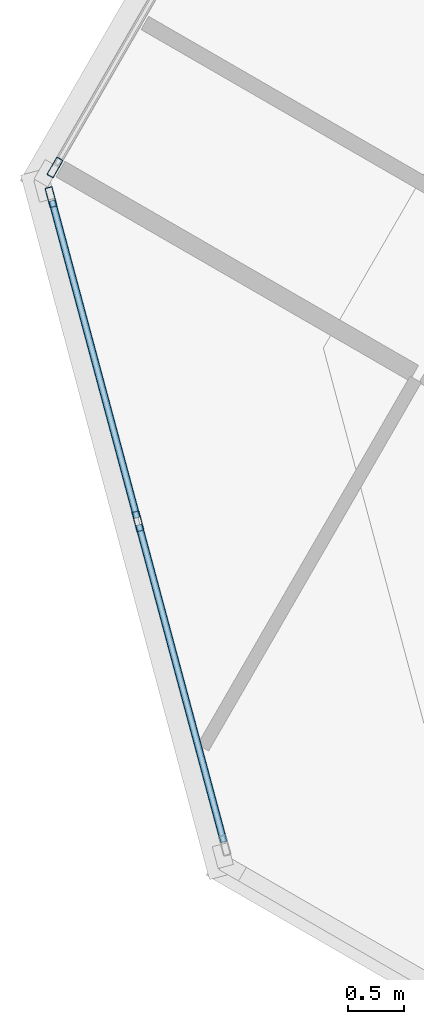
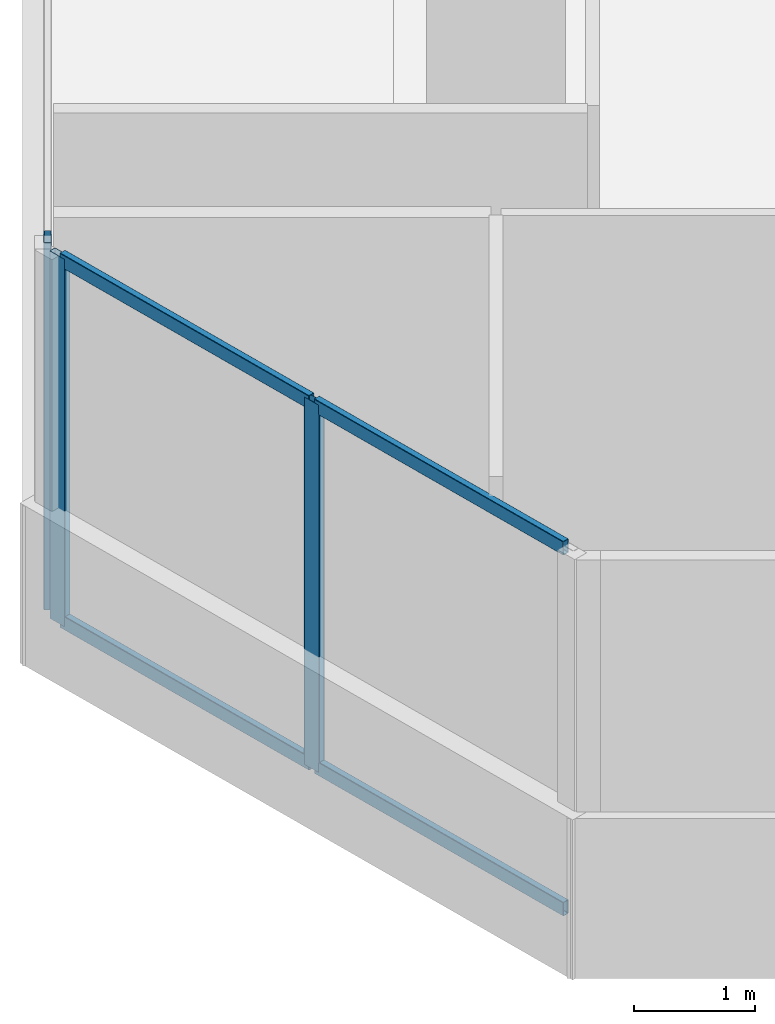
# One storey, part 6 of 21: 7 members, 2 elements without a shape of their own.
"""IFC4 building model written with IfcOpenShell, lengths in metres."""

from ifc_helpers import new_model, si_unit, direction, frame, origin, origin_2d, place, context, subcontext, project, spatial, hollow_rectangle, extrude, source, transform, mapped, material, material_profile, profile_set, type_object, element, aggregate, save


model = new_model("IFC4")

# Units and contexts
model_context = context("Model", 3, precision=1e-05, world=origin(), true_north=direction((0.0, 1.0)))
body_context = subcontext(model_context, "Body", "Model", "MODEL_VIEW")
ifc_project = project(units=[si_unit("LENGTHUNIT", "METRE"), si_unit("AREAUNIT", "SQUARE_METRE"), si_unit("VOLUMEUNIT", "CUBIC_METRE"), si_unit("PLANEANGLEUNIT", "RADIAN"), si_unit("MASSUNIT", "GRAM", prefix="KILO")], contexts=[model_context])

# Site, building, storey
site_placement = place(None, origin())
site = spatial("IfcSite", under=ifc_project, at=site_placement, CompositionType="ELEMENT")
building_placement = place(site_placement, origin())
building = spatial("IfcBuilding", under=site, at=building_placement, Name="Torre Montelarca", CompositionType="ELEMENT")
storey_placement = place(building_placement, frame((0.0, 0.0, 179.199951171875)))
storey = spatial("IfcBuildingStorey", under=building, at=storey_placement, Name="L40", CompositionType="ELEMENT", Elevation=179.199951171875)

# Curtain wall, members
ifc_material_1 = material(Name="Insulated low-E laminated glass", Category="glass")
curtain_wall_type = type_object("IfcCurtainWallType", Name="CW-SYS-Z2", PredefinedType="USERDEFINED", material=ifc_material_1)
curtain_wall_1_placement = place(storey_placement, origin())
curtain_wall_1 = element("IfcCurtainWall", 1, at=curtain_wall_1_placement, inside=storey, type_object=curtain_wall_type, Name="L40 Curtain Wall Run CW-T3-L40-E11-B1", ObjectType="UNITISED GLAZING", PredefinedType="USERDEFINED")
ifc_material_2 = material(Name="Anodised aluminium AA 6063-T6", Category="aluminium")
ifc_material_profile_1 = material_profile(ifc_material_2, hollow_rectangle(XDim=0.06494140625, YDim=0.139892578125, WallThickness=0.00390625, InnerFilletRadius=0.00390625, OuterFilletRadius=0.008056640625, at=origin_2d()), Name="ALU65X140X4", Category="aluminium")
ifc_profile_set_1 = profile_set([ifc_material_profile_1], Name="Anodised aluminium AA 6063-T6")
member_type_1 = type_object("IfcMemberType", Name="CWT-ALU140", PredefinedType="USERDEFINED", material=ifc_profile_set_1)
shared_shape_1 = source(origin(), body_context, "Body", "SweptSolid", [
    extrude(hollow_rectangle(XDim=0.06494140625, YDim=0.139892578125, WallThickness=0.00390625, InnerFilletRadius=0.00390625, OuterFilletRadius=0.008056640625, at=origin_2d()), origin(), (0.0, 0.0, 1.0), 2.91845703125),
])
member_1_placement = place(storey_placement, frame((-3.09130859375, 30.296142578125, 0.032470703125), z_axis=(0.258818317304, -0.965926021302, 0.0), x_axis=(0.965926021302, 0.258818317304, 0.0)))
member_1 = element("IfcMember", 2, at=member_1_placement, type_object=member_type_1, Name="CW transom 1.1", ObjectType="TRANSOM", PredefinedType="USERDEFINED", context=body_context, shape_type="MappedRepresentation", body=[
    mapped(shared_shape_1, transform((0.0, 0.0, 0.0), scale=1.0)),
])
member_2_placement = place(storey_placement, frame((-3.09130859375, 30.296142578125, 3.6875), z_axis=(0.258818317304, -0.965926021302, 0.0), x_axis=(0.965926021302, 0.258818317304, 0.0)))
member_2 = element("IfcMember", 3, at=member_2_placement, type_object=member_type_1, Name="CW transom 1.2", ObjectType="TRANSOM", PredefinedType="USERDEFINED", context=body_context, shape_type="MappedRepresentation", body=[
    mapped(shared_shape_1, transform((0.0, 0.0, 0.0), scale=1.0)),
])
member_3_placement = place(storey_placement, frame((-2.319091796875, 27.4140625, 0.032470703125), z_axis=(0.258818317304, -0.965926021302, 0.0), x_axis=(0.965926021302, 0.258818317304, 0.0)))
member_3 = element("IfcMember", 4, at=member_3_placement, type_object=member_type_1, Name="CW transom 2.1", ObjectType="TRANSOM", PredefinedType="USERDEFINED", context=body_context, shape_type="MappedRepresentation", body=[
    mapped(shared_shape_1, transform((0.0, 0.0, 0.0), scale=1.0)),
])
member_4_placement = place(storey_placement, frame((-2.319091796875, 27.4140625, 3.6875), z_axis=(0.258818317304, -0.965926021302, 0.0), x_axis=(0.965926021302, 0.258818317304, 0.0)))
member_4 = element("IfcMember", 5, at=member_4_placement, type_object=member_type_1, Name="CW transom 2.2", ObjectType="TRANSOM", PredefinedType="USERDEFINED", context=body_context, shape_type="MappedRepresentation", body=[
    mapped(shared_shape_1, transform((0.0, 0.0, 0.0), scale=1.0)),
])

# Curtain wall, member
curtain_wall_2_placement = place(storey_placement, origin())
curtain_wall_2 = element("IfcCurtainWall", 6, at=curtain_wall_2_placement, inside=storey, type_object=curtain_wall_type, Name="L40 Curtain Wall Run CW-T3-L40-E10-B1", ObjectType="UNITISED GLAZING", PredefinedType="USERDEFINED")
ifc_material_profile_2 = material_profile(ifc_material_2, hollow_rectangle(XDim=0.06494140625, YDim=0.179931640625, WallThickness=0.00390625, InnerFilletRadius=0.00390625, OuterFilletRadius=0.008056640625, at=origin_2d()), Name="ALU65X180X4", Category="aluminium")
ifc_profile_set_2 = profile_set([ifc_material_profile_2], Name="Anodised aluminium AA 6063-T6")
member_type_2 = type_object("IfcMemberType", Name="CWM-ALU180", PredefinedType="MULLION", material=ifc_profile_set_2)
shared_shape_2 = source(origin(), body_context, "Body", "SweptSolid", [
    extrude(hollow_rectangle(XDim=0.06494140625, YDim=0.179931640625, WallThickness=0.00390625, InnerFilletRadius=0.00390625, OuterFilletRadius=0.008056640625, at=origin_2d()), origin(), (0.0, 0.0, 1.0), 3.719970703125),
])
member_5_placement = place(storey_placement, frame((-3.06494140625, 30.59228515625, 0.0), z_axis=(0.0, 0.0, 1.0), x_axis=(0.8660246934, -0.500001230421, 0.0)))
member_5 = element("IfcMember", 7, at=member_5_placement, type_object=member_type_2, Name="CW mullion 3", PredefinedType="MULLION", context=body_context, shape_type="MappedRepresentation", body=[
    mapped(shared_shape_2, transform((0.0, 0.0, 0.0), scale=1.0)),
])
aggregate(curtain_wall_2, [member_5])

# Member
member_6_placement = place(storey_placement, frame((-3.099853515625, 30.327392578125, 0.0), z_axis=(0.0, 0.0, 1.0), x_axis=(0.965928294635, 0.258809832936, 0.0)))
member_6 = element("IfcMember", 8, at=member_6_placement, type_object=member_type_2, Name="CW mullion 1", PredefinedType="MULLION", context=body_context, shape_type="MappedRepresentation", body=[
    mapped(shared_shape_2, transform((0.0, 0.0, 0.0), scale=1.0)),
])

member_7_placement = place(storey_placement, frame((-2.32763671875, 27.445556640625, 0.0), z_axis=(0.0, 0.0, 1.0), x_axis=(0.965928294635, 0.258809832936, 0.0)))
member_7 = element("IfcMember", 9, at=member_7_placement, type_object=member_type_2, Name="CW mullion 2", PredefinedType="MULLION", context=body_context, shape_type="MappedRepresentation", body=[
    mapped(shared_shape_2, transform((0.0, 0.0, 0.0), scale=1.0)),
])

aggregate(curtain_wall_1, [member_6, member_7, member_1, member_2, member_3, member_4])

save(model, "model.ifc")
